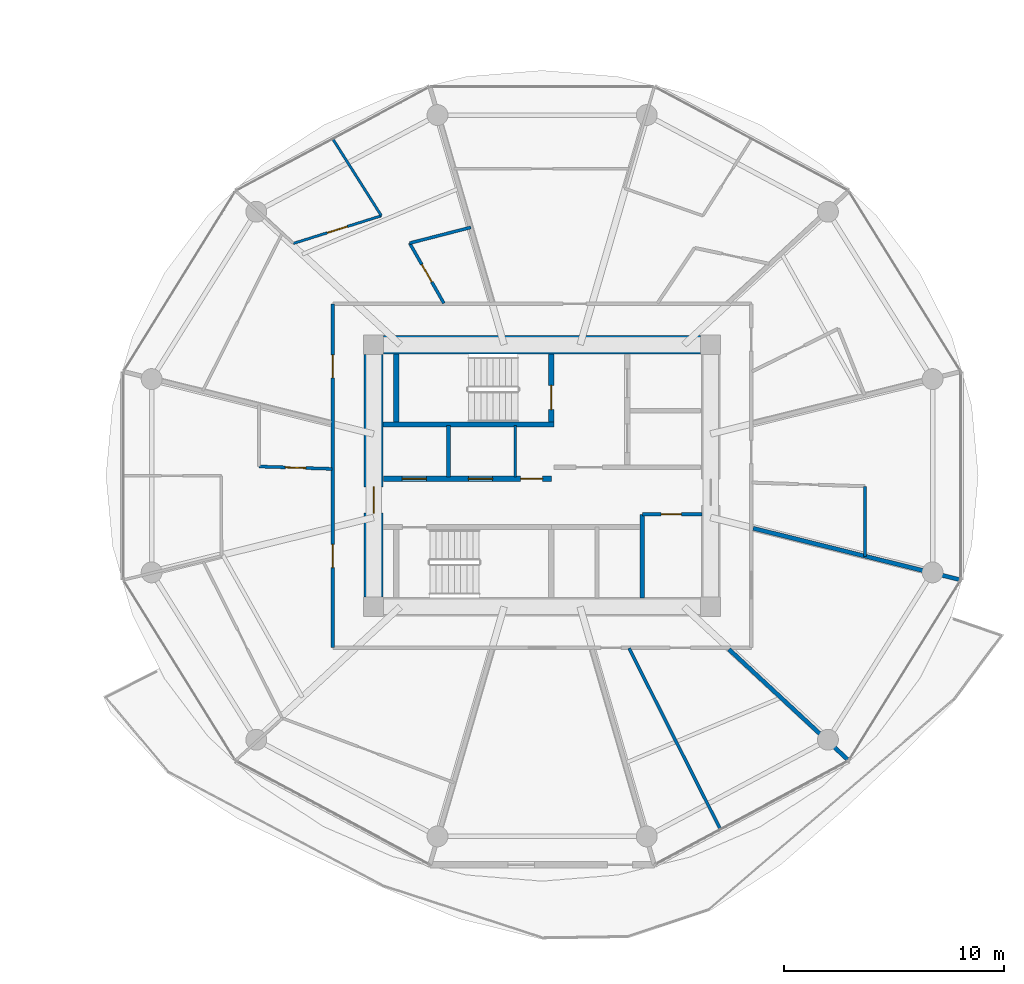
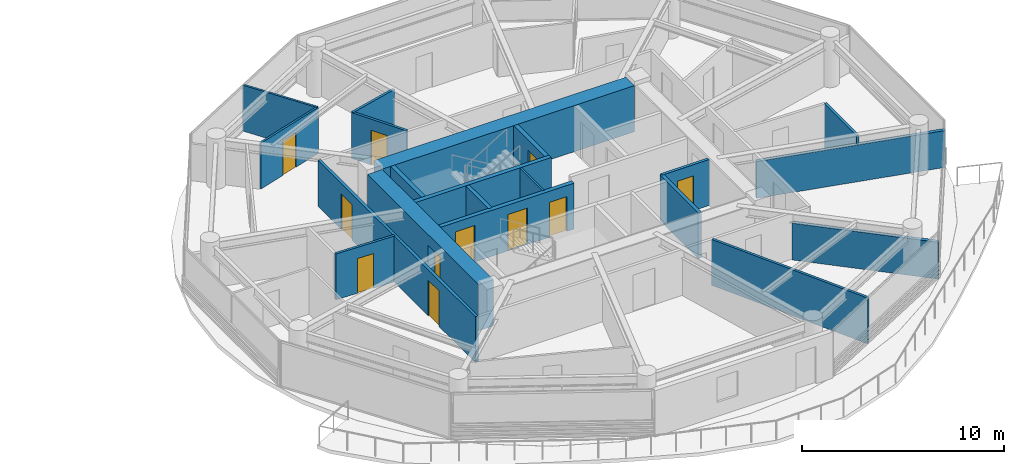
# One storey, part 18 of 25: 20 walls, 11 doors, 11 openings.
"""IFC4 building model written with IfcOpenShell, lengths in metres."""

from ifc_helpers import new_model, si_unit, direction, frame, frame_2d, origin, place, context, subcontext, project, spatial, rectangle, extrude, source, transform, mapped, material, layer, layer_set, type_object, type_shapes, element, fill, save


model = new_model("IFC4")

# Units and contexts
model_context = context("Model", 3, precision=1e-05, world=origin(), true_north=direction((0.0, 1.0)))
body_context = subcontext(model_context, "Body", "Model", "MODEL_VIEW")
ifc_project = project(units=[si_unit("LENGTHUNIT", "METRE"), si_unit("AREAUNIT", "SQUARE_METRE"), si_unit("VOLUMEUNIT", "CUBIC_METRE"), si_unit("PLANEANGLEUNIT", "RADIAN"), si_unit("MASSUNIT", "GRAM", prefix="KILO")], contexts=[model_context])

# Site, building, storey
site_placement = place(None, origin())
site = spatial("IfcSite", under=ifc_project, at=site_placement, CompositionType="ELEMENT")
building_placement = place(site_placement, origin())
building = spatial("IfcBuilding", under=site, at=building_placement, Name="Norrkilde Senior Care Towers", CompositionType="ELEMENT")
storey_placement = place(building_placement, frame((0.0, 0.0, 27.699951171875)))
storey = spatial("IfcBuildingStorey", under=building, at=storey_placement, Name="L07", CompositionType="ELEMENT", Elevation=27.699951171875)

# Wall
ifc_material_1 = material(Name="Concrete C60/75", Category="concrete")
ifc_layer_1 = layer(ifc_material_1, 0.85009765625)
ifc_layer_set_1 = layer_set([ifc_layer_1], Name="Concrete C60/75")
wall_type_1 = type_object("IfcWallType", Name="Core Shear Wall Z1 850", PredefinedType="SHEAR", material=ifc_layer_set_1)
shared_shape_1 = source(origin(), body_context, "Body", "SweptSolid", [
    extrude(rectangle(XDim=14.39990234375, YDim=0.85009765625, at=frame_2d((7.199951171875, 0.0))), origin(), (0.0, 0.0, 1.0), 2.7900390625),
])
wall_1_placement = place(storey_placement, frame((20.800048828125, 5.949951171875, 0.0), z_axis=(0.0, 0.0, 1.0), x_axis=(1.0, 0.0, 0.0)))
element("IfcWall", 1, at=wall_1_placement, inside=storey, type_object=wall_type_1, Name="L07 Core E North Shear Wall", PredefinedType="SHEAR", context=body_context, shape_type="MappedRepresentation", body=[
    mapped(shared_shape_1, transform((0.0, 0.0, 0.0), x_axis=(1.0, 0.0, 0.0), y_axis=(0.0, 1.0, 0.0), z_axis=(0.0, 0.0, 1.0), scale=1.0)),
])

# Wall, opening, door
shared_shape_2 = source(origin(), body_context, "Body", "SweptSolid", [
    extrude(rectangle(XDim=11.0, YDim=0.85009765625, at=frame_2d((5.5, 0.0))), origin(), (0.0, 0.0, 1.0), 2.7900390625),
])
type_shapes(wall_type_1, [shared_shape_1, shared_shape_2])
wall_2_placement = place(storey_placement, frame((20.35009765625, -5.5, 0.0), z_axis=(0.0, 0.0, 1.0), x_axis=(0.0, 1.0, 0.0)))
wall_2 = element("IfcWall", 2, at=wall_2_placement, inside=storey, type_object=wall_type_1, Name="L07 Core E West Shear Wall", PredefinedType="SHEAR", context=body_context, shape_type="MappedRepresentation", body=[
    mapped(shared_shape_2, transform((0.0, 0.0, 0.0), x_axis=(1.0, 0.0, 0.0), y_axis=(0.0, 1.0, 0.0), z_axis=(0.0, 0.0, 1.0), scale=1.0)),
])
opening_1_placement = place(wall_2_placement, frame((3.800048828125, 0.0, 0.0)))
opening_1 = element("IfcOpeningElement", 3, at=opening_1_placement, cuts=wall_2, Name="Opening D-04", PredefinedType="OPENING", context=body_context, shape_type="SweptSolid", body=[
    extrude(rectangle(XDim=1.199951171875, YDim=2.14990234375, at=frame_2d((0.60009765625, 1.074951171875))), frame((0.0, 0.43505859375, 0.0), z_axis=(0.0, -1.0, 0.0), x_axis=(1.0, 0.0, 0.0)), (0.0, 0.0, 1.0), 0.8701171875),
])
ifc_material_2 = material(Name="Galvanised Painted Steel", Category="steel")
door_type_1 = type_object("IfcDoorType", Name="Firefighting Lobby Fire Door 1200x2150", OperationType="NOTDEFINED", PredefinedType="DOOR", material=ifc_material_2)
shared_shape_3 = source(origin(), body_context, "Body", "SweptSolid", [
    extrude(rectangle(XDim=1.199951171875, YDim=2.14990234375, at=frame_2d((0.60009765625, 1.074951171875))), frame((0.0, 0.02490234375, 0.0), z_axis=(0.0, -1.0, 0.0), x_axis=(1.0, 0.0, 0.0)), (0.0, 0.0, 1.0), 0.050048828125),
])
type_shapes(door_type_1, [shared_shape_3])
door_1_placement = place(opening_1_placement, frame((1.199951171875, 0.0, 0.0), z_axis=(0.0, 0.0, 1.0), x_axis=(-1.0, 0.0, 0.0)))
door_1 = element("IfcDoor", 4, at=door_1_placement, inside=storey, type_object=door_type_1, Name="L07 Core E West Portal Door", OperationType="SINGLE_SWING_LEFT", OverallHeight=2.14990234375, OverallWidth=1.199951171875, PredefinedType="DOOR", context=body_context, shape_type="MappedRepresentation", body=[
    mapped(shared_shape_3, transform((0.0, 0.0, 0.0), x_axis=(1.0, 0.0, 0.0), y_axis=(0.0, 1.0, 0.0), z_axis=(0.0, 0.0, 1.0), scale=1.0)),
])
fill(opening_1, door_1)

# Walls
ifc_material_3 = material(Name="Concrete C45/55", Category="concrete")
ifc_layer_2 = layer(ifc_material_3, 0.239990234375)
ifc_layer_set_2 = layer_set([ifc_layer_2], Name="Concrete C45/55")
wall_type_2 = type_object("IfcWallType", Name="Shaft and Stair Enclosure Wall 240", PredefinedType="PARTITIONING", material=ifc_layer_set_2)
shared_shape_4 = source(origin(), body_context, "Body", "SweptSolid", [
    extrude(rectangle(XDim=7.76513671875, YDim=0.239990234375, at=frame_2d((3.882568359375, 0.0))), origin(), (0.0, 0.0, 1.0), 2.7900390625),
])
wall_3_placement = place(storey_placement, frame((20.77490234375, 2.330078125, 0.0), z_axis=(0.0, 0.0, 1.0), x_axis=(1.0, 0.0, 0.0)))
element("IfcWall", 5, at=wall_3_placement, inside=storey, type_object=wall_type_2, Name="WL-INT-L07-E-ST1S", PredefinedType="PARTITIONING", context=body_context, shape_type="MappedRepresentation", body=[
    mapped(shared_shape_4, transform((0.0, 0.0, 0.0), x_axis=(1.0, 0.0, 0.0), y_axis=(0.0, 1.0, 0.0), z_axis=(0.0, 0.0, 1.0), scale=1.0)),
])
shared_shape_5 = source(origin(), body_context, "Body", "SweptSolid", [
    extrude(rectangle(XDim=3.074951171875, YDim=0.239990234375, at=frame_2d((1.53759765625, 0.0))), origin(), (0.0, 0.0, 1.0), 2.7900390625),
])
type_shapes(wall_type_2, [shared_shape_4, shared_shape_5])
wall_4_placement = place(storey_placement, frame((21.3798828125, 2.449951171875, 0.0), z_axis=(0.0, 0.0, 1.0), x_axis=(0.0, 1.0, 0.0)))
element("IfcWall", 6, at=wall_4_placement, inside=storey, type_object=wall_type_2, Name="WL-INT-L07-E-ST1W", PredefinedType="PARTITIONING", context=body_context, shape_type="MappedRepresentation", body=[
    mapped(shared_shape_5, transform((0.0, 0.0, 0.0), x_axis=(1.0, 0.0, 0.0), y_axis=(0.0, 1.0, 0.0), z_axis=(0.0, 0.0, 1.0), scale=1.0)),
])

# Wall, opening, door
wall_5_placement = place(storey_placement, frame((28.419921875, 2.449951171875, 0.0), z_axis=(0.0, 0.0, 1.0), x_axis=(0.0, 1.0, 0.0)))
wall_5 = element("IfcWall", 7, at=wall_5_placement, inside=storey, type_object=wall_type_2, Name="WL-INT-L07-E-ST1E", PredefinedType="PARTITIONING", context=body_context, shape_type="MappedRepresentation", body=[
    mapped(shared_shape_5, transform((0.0, 0.0, 0.0), x_axis=(1.0, 0.0, 0.0), y_axis=(0.0, 1.0, 0.0), z_axis=(0.0, 0.0, 1.0), scale=1.0)),
])
opening_2_placement = place(wall_5_placement, frame((0.550048828125, 0.0, 0.0)))
opening_2 = element("IfcOpeningElement", 8, at=opening_2_placement, cuts=wall_5, Name="Opening D-03", PredefinedType="OPENING", context=body_context, shape_type="SweptSolid", body=[
    extrude(rectangle(XDim=1.10009765625, YDim=2.14990234375, at=frame_2d((0.550048828125, 1.074951171875))), frame((0.0, 0.1298828125, 0.0), z_axis=(0.0, -1.0, 0.0), x_axis=(1.0, 0.0, 0.0)), (0.0, 0.0, 1.0), 0.260009765625),
])
door_type_2 = type_object("IfcDoorType", Name="Stairwell Protected Fire Door 1100x2150", OperationType="NOTDEFINED", PredefinedType="DOOR", material=ifc_material_2)
shared_shape_6 = source(origin(), body_context, "Body", "SweptSolid", [
    extrude(rectangle(XDim=1.10009765625, YDim=2.14990234375, at=frame_2d((0.550048828125, 1.074951171875))), frame((0.0, 0.02490234375, 0.0), z_axis=(0.0, -1.0, 0.0), x_axis=(1.0, 0.0, 0.0)), (0.0, 0.0, 1.0), 0.050048828125),
])
type_shapes(door_type_2, [shared_shape_6])
door_2_placement = place(opening_2_placement, origin())
door_2 = element("IfcDoor", 9, at=door_2_placement, inside=storey, type_object=door_type_2, Name="L07 Stair E1 Fire Door", OperationType="SINGLE_SWING_LEFT", OverallHeight=2.14990234375, OverallWidth=1.10009765625, PredefinedType="DOOR", context=body_context, shape_type="MappedRepresentation", body=[
    mapped(shared_shape_6, transform((0.0, 0.0, 0.0), x_axis=(1.0, 0.0, 0.0), y_axis=(0.0, 1.0, 0.0), z_axis=(0.0, 0.0, 1.0), scale=1.0)),
])
fill(opening_2, door_2)

# Wall, openings, doors
ifc_layer_3 = layer(ifc_material_3, 0.239990234375)
ifc_layer_set_3 = layer_set([ifc_layer_3], Name="Concrete C45/55")
wall_type_3 = type_object("IfcWallType", Name="Lift and Plant Rated Enclosure Partition 240", PredefinedType="PARTITIONING", material=ifc_layer_set_3)
shared_shape_7 = source(origin(), body_context, "Body", "SweptSolid", [
    extrude(rectangle(XDim=7.619873046875, YDim=0.239990234375, at=frame_2d((3.81005859375, 0.0))), origin(), (0.0, 0.0, 1.0), 2.775146484375),
])
type_shapes(wall_type_3, [shared_shape_7])
wall_6_placement = place(storey_placement, frame((20.800048828125, -0.1298828125, 0.0), z_axis=(0.0, 0.0, 1.0), x_axis=(1.0, 0.0, 0.0)))
wall_6 = element("IfcWall", 10, at=wall_6_placement, inside=storey, type_object=wall_type_3, Name="WL-INT-L07-E-PKAS", PredefinedType="PARTITIONING", context=body_context, shape_type="MappedRepresentation", body=[
    mapped(shared_shape_7, transform((0.0, 0.0, 0.0), x_axis=(1.0, 0.0, 0.0), y_axis=(0.0, 1.0, 0.0), z_axis=(0.0, 0.0, 1.0), scale=1.0)),
])
opening_3_placement = place(wall_6_placement, frame((6.219970703125, 0.0, 0.0)))
opening_3 = element("IfcOpeningElement", 11, at=opening_3_placement, cuts=wall_6, Name="Opening D-10", PredefinedType="OPENING", context=body_context, shape_type="SweptSolid", body=[
    extrude(rectangle(XDim=1.0, YDim=2.10009765625, at=frame_2d((0.5, 1.050048828125))), frame((0.0, 0.1298828125, 0.0), z_axis=(0.0, -1.0, 0.0), x_axis=(1.0, 0.0, 0.0)), (0.0, 0.0, 1.0), 0.260009765625),
])
opening_4_placement = place(wall_6_placement, frame((0.85009765625, 0.0, 0.0)))
opening_4 = element("IfcOpeningElement", 12, at=opening_4_placement, cuts=wall_6, Name="Opening LD-01", PredefinedType="OPENING", context=body_context, shape_type="SweptSolid", body=[
    extrude(rectangle(XDim=1.10009765625, YDim=2.199951171875, at=frame_2d((0.550048828125, 1.10009765625))), frame((0.0, 0.1298828125, 0.0), z_axis=(0.0, -1.0, 0.0), x_axis=(1.0, 0.0, 0.0)), (0.0, 0.0, 1.0), 0.260009765625),
])
opening_5_placement = place(wall_6_placement, frame((3.85009765625, 0.0, 0.0)))
opening_5 = element("IfcOpeningElement", 13, at=opening_5_placement, cuts=wall_6, Name="Opening LD-01", PredefinedType="OPENING", context=body_context, shape_type="SweptSolid", body=[
    extrude(rectangle(XDim=1.10009765625, YDim=2.199951171875, at=frame_2d((0.550048828125, 1.10009765625))), frame((0.0, 0.1298828125, 0.0), z_axis=(0.0, -1.0, 0.0), x_axis=(1.0, 0.0, 0.0)), (0.0, 0.0, 1.0), 0.260009765625),
])
door_type_3 = type_object("IfcDoorType", Name="Plant and Riser Rated Door 1000x2100", OperationType="NOTDEFINED", PredefinedType="DOOR", material=ifc_material_2)
shared_shape_8 = source(origin(), body_context, "Body", "SweptSolid", [
    extrude(rectangle(XDim=1.0, YDim=2.10009765625, at=frame_2d((0.5, 1.050048828125))), frame((0.0, 0.02490234375, 0.0), z_axis=(0.0, -1.0, 0.0), x_axis=(1.0, 0.0, 0.0)), (0.0, 0.0, 1.0), 0.050048828125),
])
type_shapes(door_type_3, [shared_shape_8])
door_3_placement = place(opening_3_placement, frame((1.0, 0.0, 0.0), z_axis=(0.0, 0.0, 1.0), x_axis=(-1.0, 0.0, 0.0)))
door_3 = element("IfcDoor", 14, at=door_3_placement, inside=storey, type_object=door_type_3, Name="L07 Electrical Riser E Door", OperationType="SINGLE_SWING_LEFT", OverallHeight=2.10009765625, OverallWidth=1.0, PredefinedType="DOOR", context=body_context, shape_type="MappedRepresentation", body=[
    mapped(shared_shape_8, transform((0.0, 0.0, 0.0), x_axis=(1.0, 0.0, 0.0), y_axis=(0.0, 1.0, 0.0), z_axis=(0.0, 0.0, 1.0), scale=1.0)),
])
fill(opening_3, door_3)
ifc_material_4 = material(Name="Stainless Steel", Category="steel")
door_type_4 = type_object("IfcDoorType", Name="Lift Landing Sliding Door 1100x2200", OperationType="NOTDEFINED", PredefinedType="DOOR", material=ifc_material_4)
shared_shape_9 = source(origin(), body_context, "Body", "SweptSolid", [
    extrude(rectangle(XDim=1.10009765625, YDim=2.199951171875, at=frame_2d((0.550048828125, 1.10009765625))), frame((0.0, 0.02490234375, 0.0), z_axis=(0.0, -1.0, 0.0), x_axis=(1.0, 0.0, 0.0)), (0.0, 0.0, 1.0), 0.050048828125),
])
type_shapes(door_type_4, [shared_shape_9])
door_4_placement = place(opening_4_placement, origin())
door_4 = element("IfcDoor", 15, at=door_4_placement, inside=storey, type_object=door_type_4, Name="L07 Passenger Lift E1 Landing Door", OperationType="SLIDING_TO_LEFT", OverallHeight=2.199951171875, OverallWidth=1.10009765625, PredefinedType="DOOR", context=body_context, shape_type="MappedRepresentation", body=[
    mapped(shared_shape_9, transform((0.0, 0.0, 0.0), x_axis=(1.0, 0.0, 0.0), y_axis=(0.0, 1.0, 0.0), z_axis=(0.0, 0.0, 1.0), scale=1.0)),
])
fill(opening_4, door_4)
door_5_placement = place(opening_5_placement, origin())
door_5 = element("IfcDoor", 16, at=door_5_placement, inside=storey, type_object=door_type_4, Name="L07 Passenger Lift E2 Landing Door", OperationType="SLIDING_TO_RIGHT", OverallHeight=2.199951171875, OverallWidth=1.10009765625, PredefinedType="DOOR", context=body_context, shape_type="MappedRepresentation", body=[
    mapped(shared_shape_9, transform((0.0, 0.0, 0.0), x_axis=(1.0, 0.0, 0.0), y_axis=(0.0, 1.0, 0.0), z_axis=(0.0, 0.0, 1.0), scale=1.0)),
])
fill(opening_5, door_5)

# Walls
ifc_material_5 = material(Name="Gypsum Acoustic Board")
ifc_layer_4 = layer(ifc_material_5, 0.114990234375)
ifc_layer_set_4 = layer_set([ifc_layer_4], Name="Gypsum Acoustic Board")
wall_type_4 = type_object("IfcWallType", Name="Internal Room Partition 115", PredefinedType="PARTITIONING", material=ifc_layer_set_4)
shared_shape_10 = source(origin(), body_context, "Body", "SweptSolid", [
    extrude(rectangle(XDim=2.330078125, YDim=0.114990234375, at=frame_2d((1.1650390625, 0.0))), origin(), (0.0, 0.0, 1.0), 2.775146484375),
])
wall_7_placement = place(storey_placement, frame((26.7900390625, -0.050048828125, 0.0), z_axis=(0.0, 0.0, 1.0), x_axis=(0.0, 1.0, 0.0)))
element("IfcWall", 17, at=wall_7_placement, inside=storey, type_object=wall_type_4, Name="WL-INT-L07-E-RISW", PredefinedType="PARTITIONING", context=body_context, shape_type="MappedRepresentation", body=[
    mapped(shared_shape_10, transform((0.0, 0.0, 0.0), x_axis=(1.0, 0.0, 0.0), y_axis=(0.0, 1.0, 0.0), z_axis=(0.0, 0.0, 1.0), scale=1.0)),
])
ifc_layer_5 = layer(ifc_material_3, 0.199951171875)
ifc_layer_set_5 = layer_set([ifc_layer_5], Name="Concrete C45/55")
wall_type_5 = type_object("IfcWallType", Name="Shaft Division and Plant Partition 200", PredefinedType="PARTITIONING", material=ifc_layer_set_5)
shared_shape_11 = source(origin(), body_context, "Body", "SweptSolid", [
    extrude(rectangle(XDim=2.330078125, YDim=0.199951171875, at=frame_2d((1.1650390625, 0.0))), origin(), (0.0, 0.0, 1.0), 2.775146484375),
])
wall_8_placement = place(storey_placement, frame((23.75, -0.050048828125, 0.0), z_axis=(0.0, 0.0, 1.0), x_axis=(0.0, 1.0, 0.0)))
element("IfcWall", 18, at=wall_8_placement, inside=storey, type_object=wall_type_5, Name="WL-INT-L07-E-PL12", PredefinedType="PARTITIONING", context=body_context, shape_type="MappedRepresentation", body=[
    mapped(shared_shape_11, transform((0.0, 0.0, 0.0), x_axis=(1.0, 0.0, 0.0), y_axis=(0.0, 1.0, 0.0), z_axis=(0.0, 0.0, 1.0), scale=1.0)),
])
shared_shape_12 = source(origin(), body_context, "Body", "SweptSolid", [
    extrude(rectangle(XDim=3.800048828125, YDim=0.199951171875, at=frame_2d((1.89990234375, 0.0))), origin(), (0.0, 0.0, 1.0), 2.775146484375),
])
type_shapes(wall_type_5, [shared_shape_11, shared_shape_12])
wall_9_placement = place(storey_placement, frame((32.550048828125, -5.550048828125, 0.0), z_axis=(0.0, 0.0, 1.0), x_axis=(0.0, 1.0, 0.0)))
element("IfcWall", 19, at=wall_9_placement, inside=storey, type_object=wall_type_5, Name="WL-INT-L07-E-PKBE", PredefinedType="PARTITIONING", context=body_context, shape_type="MappedRepresentation", body=[
    mapped(shared_shape_12, transform((0.0, 0.0, 0.0), x_axis=(1.0, 0.0, 0.0), y_axis=(0.0, 1.0, 0.0), z_axis=(0.0, 0.0, 1.0), scale=1.0)),
])

# Wall, opening, door
ifc_layer_6 = layer(ifc_material_5, 0.1650390625)
ifc_layer_set_6 = layer_set([ifc_layer_6], Name="Gypsum Acoustic Board")
wall_type_6 = type_object("IfcWallType", Name="Corridor Rated Partition 165", PredefinedType="PARTITIONING", material=ifc_layer_set_6)
shared_shape_13 = source(origin(), body_context, "Body", "SweptSolid", [
    extrude(rectangle(XDim=2.699951171875, YDim=0.1650390625, at=frame_2d((1.35009765625, 0.0))), origin(), (0.0, 0.0, 1.0), 2.775146484375),
])
wall_10_placement = place(storey_placement, frame((32.550048828125, -1.75, 0.0), z_axis=(0.0, 0.0, 1.0), x_axis=(1.0, 0.0, 0.0)))
wall_10 = element("IfcWall", 20, at=wall_10_placement, inside=storey, type_object=wall_type_6, Name="WL-INT-L07-E-CSN", PredefinedType="PARTITIONING", context=body_context, shape_type="MappedRepresentation", body=[
    mapped(shared_shape_13, transform((0.0, 0.0, 0.0), x_axis=(1.0, 0.0, 0.0), y_axis=(0.0, 1.0, 0.0), z_axis=(0.0, 0.0, 1.0), scale=1.0)),
])
opening_6_placement = place(wall_10_placement, frame((0.85009765625, 0.0, 0.0)))
opening_6 = element("IfcOpeningElement", 21, at=opening_6_placement, cuts=wall_10, Name="Opening D-12", PredefinedType="OPENING", context=body_context, shape_type="SweptSolid", body=[
    extrude(rectangle(XDim=0.925048828125, YDim=2.10009765625, at=frame_2d((0.46240234375, 1.050048828125))), frame((0.0, 0.092529296875, 0.0), z_axis=(0.0, -1.0, 0.0), x_axis=(1.0, 0.0, 0.0)), (0.0, 0.0, 1.0), 0.18505859375),
])
door_type_5 = type_object("IfcDoorType", Name="Core Wet Room Rated Door 925x2100", OperationType="NOTDEFINED", PredefinedType="DOOR", material=ifc_material_2)
shared_shape_14 = source(origin(), body_context, "Body", "SweptSolid", [
    extrude(rectangle(XDim=0.925048828125, YDim=2.10009765625, at=frame_2d((0.46240234375, 1.050048828125))), frame((0.0, 0.02490234375, 0.0), z_axis=(0.0, -1.0, 0.0), x_axis=(1.0, 0.0, 0.0)), (0.0, 0.0, 1.0), 0.050048828125),
])
type_shapes(door_type_5, [shared_shape_14])
door_6_placement = place(opening_6_placement, origin())
door_6 = element("IfcDoor", 22, at=door_6_placement, inside=storey, type_object=door_type_5, Name="L07 Core Utility E Door", OperationType="SINGLE_SWING_LEFT", OverallHeight=2.10009765625, OverallWidth=0.925048828125, PredefinedType="DOOR", context=body_context, shape_type="MappedRepresentation", body=[
    mapped(shared_shape_14, transform((0.0, 0.0, 0.0), x_axis=(1.0, 0.0, 0.0), y_axis=(0.0, 1.0, 0.0), z_axis=(0.0, 0.0, 1.0), scale=1.0)),
])
fill(opening_6, door_6)

# Wall, openings, doors
shared_shape_15 = source(origin(), body_context, "Body", "SweptSolid", [
    extrude(rectangle(XDim=15.60009765625, YDim=0.1650390625, at=frame_2d((7.800048828125, 0.0))), origin(), (0.0, 0.0, 1.0), 2.775146484375),
])
type_shapes(wall_type_6, [shared_shape_13, shared_shape_15])
wall_11_placement = place(storey_placement, frame((18.5, -7.800048828125, 0.0), z_axis=(0.0, 0.0, 1.0), x_axis=(0.0, 1.0, 0.0)))
wall_11 = element("IfcWall", 23, at=wall_11_placement, inside=storey, type_object=wall_type_6, Name="WL-INT-L07-E-CRW-W-0", PredefinedType="PARTITIONING", context=body_context, shape_type="MappedRepresentation", body=[
    mapped(shared_shape_15, transform((0.0, 0.0, 0.0), x_axis=(1.0, 0.0, 0.0), y_axis=(0.0, 1.0, 0.0), z_axis=(0.0, 0.0, 1.0), scale=1.0)),
])
opening_7_placement = place(wall_11_placement, frame((12.241455078125, 0.0, 0.0)))
opening_7 = element("IfcOpeningElement", 24, at=opening_7_placement, cuts=wall_11, Name="Opening D-06", PredefinedType="OPENING", context=body_context, shape_type="SweptSolid", body=[
    extrude(rectangle(XDim=1.050048828125, YDim=2.14990234375, at=frame_2d((0.52490234375, 1.074951171875))), frame((0.0, 0.092529296875, 0.0), z_axis=(0.0, -1.0, 0.0), x_axis=(1.0, 0.0, 0.0)), (0.0, 0.0, 1.0), 0.18505859375),
])
opening_8_placement = place(wall_11_placement, frame((3.63037109375, 0.0, 0.0)))
opening_8 = element("IfcOpeningElement", 25, at=opening_8_placement, cuts=wall_11, Name="Opening D-06", PredefinedType="OPENING", context=body_context, shape_type="SweptSolid", body=[
    extrude(rectangle(XDim=1.050048828125, YDim=2.14990234375, at=frame_2d((0.52490234375, 1.074951171875))), frame((0.0, 0.092529296875, 0.0), z_axis=(0.0, -1.0, 0.0), x_axis=(1.0, 0.0, 0.0)), (0.0, 0.0, 1.0), 0.18505859375),
])
ifc_material_6 = material(Name="Nordic Ash Timber", Category="wood")
door_type_6 = type_object("IfcDoorType", Name="Apartment Entrance Fire Door 1050x2150", OperationType="NOTDEFINED", PredefinedType="DOOR", material=ifc_material_6)
shared_shape_16 = source(origin(), body_context, "Body", "SweptSolid", [
    extrude(rectangle(XDim=1.050048828125, YDim=2.14990234375, at=frame_2d((0.52490234375, 1.074951171875))), frame((0.0, 0.02490234375, 0.0), z_axis=(0.0, -1.0, 0.0), x_axis=(1.0, 0.0, 0.0)), (0.0, 0.0, 1.0), 0.050048828125),
])
type_shapes(door_type_6, [shared_shape_16])
door_7_placement = place(opening_7_placement, frame((1.050048828125, 0.0, 0.0), z_axis=(0.0, 0.0, 1.0), x_axis=(-1.0, 0.0, 0.0)))
door_7 = element("IfcDoor", 26, at=door_7_placement, inside=storey, type_object=door_type_6, Name="Apartment 07B Entrance Door", OperationType="SINGLE_SWING_RIGHT", OverallHeight=2.14990234375, OverallWidth=1.050048828125, PredefinedType="DOOR", context=body_context, shape_type="MappedRepresentation", body=[
    mapped(shared_shape_16, transform((0.0, 0.0, 0.0), x_axis=(1.0, 0.0, 0.0), y_axis=(0.0, 1.0, 0.0), z_axis=(0.0, 0.0, 1.0), scale=1.0)),
])
fill(opening_7, door_7)
door_8_placement = place(opening_8_placement, frame((1.050048828125, 0.0, 0.0), z_axis=(0.0, 0.0, 1.0), x_axis=(-1.0, 0.0, 0.0)))
door_8 = element("IfcDoor", 27, at=door_8_placement, inside=storey, type_object=door_type_6, Name="Apartment 07C Entrance Door", OperationType="SINGLE_SWING_RIGHT", OverallHeight=2.14990234375, OverallWidth=1.050048828125, PredefinedType="DOOR", context=body_context, shape_type="MappedRepresentation", body=[
    mapped(shared_shape_16, transform((0.0, 0.0, 0.0), x_axis=(1.0, 0.0, 0.0), y_axis=(0.0, 1.0, 0.0), z_axis=(0.0, 0.0, 1.0), scale=1.0)),
])
fill(opening_8, door_8)

# Walls
ifc_layer_7 = layer(ifc_material_5, 0.18994140625)
ifc_layer_set_7 = layer_set([ifc_layer_7], Name="Gypsum Acoustic Board")
wall_type_7 = type_object("IfcWallType", Name="Unit Demising Acoustic Wall 190", PredefinedType="PARTITIONING", material=ifc_layer_set_7)
shared_shape_17 = source(origin(), body_context, "Body", "SweptSolid", [
    extrude(rectangle(XDim=7.4345703125, YDim=0.18994140625, at=frame_2d((3.71728515625, 0.0))), origin(), (0.0, 0.0, 1.0), 2.22509765625),
])
wall_12_placement = place(storey_placement, frame((36.48291015625, -7.8798828125, 0.0), z_axis=(0.0, 0.0, 1.0), x_axis=(0.732651956848, -0.680603489652, 0.0)))
element("IfcWall", 28, at=wall_12_placement, inside=storey, type_object=wall_type_7, Name="WL-INT-L07-E-DEM-10-0", PredefinedType="PARTITIONING", context=body_context, shape_type="MappedRepresentation", body=[
    mapped(shared_shape_17, transform((0.0, 0.0, 0.0), x_axis=(1.0, 0.0, 0.0), y_axis=(0.0, 1.0, 0.0), z_axis=(0.0, 0.0, 1.0), scale=1.0)),
])
ifc_layer_8 = layer(ifc_material_5, 0.139892578125)
ifc_layer_set_8 = layer_set([ifc_layer_8], Name="Gypsum Acoustic Board")
wall_type_8 = type_object("IfcWallType", Name="En-suite Wet Room Wall 140", PredefinedType="PARTITIONING", material=ifc_layer_set_8)
shared_shape_18 = source(origin(), body_context, "Body", "SweptSolid", [
    extrude(rectangle(XDim=9.22509765625, YDim=0.139892578125, at=frame_2d((4.612548828125, 0.0))), origin(), (0.0, 0.0, 1.0), 2.775146484375),
])
wall_13_placement = place(storey_placement, frame((31.94580078125, -7.830078125, 0.0), z_axis=(0.0, 0.0, 1.0), x_axis=(0.450460543767, -0.892796336523, 0.0)))
element("IfcWall", 29, at=wall_13_placement, inside=storey, type_object=wall_type_8, Name="WL-INT-L07-E-MID-09", PredefinedType="PARTITIONING", context=body_context, shape_type="MappedRepresentation", body=[
    mapped(shared_shape_18, transform((0.0, 0.0, 0.0), x_axis=(1.0, 0.0, 0.0), y_axis=(0.0, 1.0, 0.0), z_axis=(0.0, 0.0, 1.0), scale=1.0)),
])
shared_shape_19 = source(origin(), body_context, "Body", "SweptSolid", [
    extrude(rectangle(XDim=9.737060546875, YDim=0.18994140625, at=frame_2d((4.86865234375, 0.0))), origin(), (0.0, 0.0, 1.0), 2.22509765625),
])
type_shapes(wall_type_7, [shared_shape_17, shared_shape_19])
wall_14_placement = place(storey_placement, frame((37.580078125, -2.384521484375, 0.0), z_axis=(0.0, 0.0, 1.0), x_axis=(0.970392716238, -0.241532557375, 0.0)))
element("IfcWall", 30, at=wall_14_placement, inside=storey, type_object=wall_type_7, Name="WL-INT-L07-E-DEM-11-0", PredefinedType="PARTITIONING", context=body_context, shape_type="MappedRepresentation", body=[
    mapped(shared_shape_19, transform((0.0, 0.0, 0.0), x_axis=(1.0, 0.0, 0.0), y_axis=(0.0, 1.0, 0.0), z_axis=(0.0, 0.0, 1.0), scale=1.0)),
])
shared_shape_20 = source(origin(), body_context, "Body", "SweptSolid", [
    extrude(rectangle(XDim=4.150390625, YDim=0.114990234375, at=frame_2d((2.0751953125, 0.0))), origin(), (0.0, 0.0, 1.0), 2.775146484375),
])
wall_15_placement = place(storey_placement, frame((20.703857421875, 11.800537109375, 0.0), z_axis=(0.0, 0.0, 1.0), x_axis=(-0.534475378192, 0.845184045109, 0.0)))
element("IfcWall", 31, at=wall_15_placement, inside=storey, type_object=wall_type_4, Name="WL-INT-L07-E-UKTS-03", PredefinedType="PARTITIONING", context=body_context, shape_type="MappedRepresentation", body=[
    mapped(shared_shape_20, transform((0.0, 0.0, 0.0), x_axis=(1.0, 0.0, 0.0), y_axis=(0.0, 1.0, 0.0), z_axis=(0.0, 0.0, 1.0), scale=1.0)),
])

# Wall, opening, door
shared_shape_21 = source(origin(), body_context, "Body", "SweptSolid", [
    extrude(rectangle(XDim=3.14111328125, YDim=0.139892578125, at=frame_2d((1.570556640625, 0.0))), origin(), (0.0, 0.0, 1.0), 2.775146484375),
])
wall_16_placement = place(storey_placement, frame((23.54150390625, 7.830078125, 0.0), z_axis=(0.0, 0.0, 1.0), x_axis=(-0.494874486088, 0.868964465913, 0.0)))
wall_16 = element("IfcWall", 32, at=wall_16_placement, inside=storey, type_object=wall_type_8, Name="WL-INT-L07-E-UBTS-03", PredefinedType="PARTITIONING", context=body_context, shape_type="MappedRepresentation", body=[
    mapped(shared_shape_21, transform((0.0, 0.0, 0.0), x_axis=(1.0, 0.0, 0.0), y_axis=(0.0, 1.0, 0.0), z_axis=(0.0, 0.0, 1.0), scale=1.0)),
])
opening_9_placement = place(wall_16_placement, frame((1.110595703125, 0.0, 0.0)))
opening_9 = element("IfcOpeningElement", 33, at=opening_9_placement, cuts=wall_16, Name="Opening D-08", PredefinedType="OPENING", context=body_context, shape_type="SweptSolid", body=[
    extrude(rectangle(XDim=0.919921875, YDim=2.10009765625, at=frame_2d((0.4599609375, 1.050048828125))), frame((0.0, 0.079833984375, 0.0), z_axis=(0.0, -1.0, 0.0), x_axis=(1.0, 0.0, 0.0)), (0.0, 0.0, 1.0), 0.159912109375),
])
door_type_7 = type_object("IfcDoorType", Name="Accessible Wet Room Door 920x2100", OperationType="NOTDEFINED", PredefinedType="DOOR", material=ifc_material_6)
shared_shape_22 = source(origin(), body_context, "Body", "SweptSolid", [
    extrude(rectangle(XDim=0.919921875, YDim=2.10009765625, at=frame_2d((0.4599609375, 1.050048828125))), frame((0.0, 0.02490234375, 0.0), z_axis=(0.0, -1.0, 0.0), x_axis=(1.0, 0.0, 0.0)), (0.0, 0.0, 1.0), 0.050048828125),
])
type_shapes(door_type_7, [shared_shape_22])
door_9_placement = place(opening_9_placement, origin())
door_9 = element("IfcDoor", 34, at=door_9_placement, inside=storey, type_object=door_type_7, Name="Apartment 07B Bathroom Door", OperationType="SINGLE_SWING_LEFT", OverallHeight=2.10009765625, OverallWidth=0.919921875, PredefinedType="DOOR", context=body_context, shape_type="MappedRepresentation", body=[
    mapped(shared_shape_22, transform((0.0, 0.0, 0.0), x_axis=(1.0, 0.0, 0.0), y_axis=(0.0, 1.0, 0.0), z_axis=(0.0, 0.0, 1.0), scale=1.0)),
])
fill(opening_9, door_9)

# Wall
shared_shape_23 = source(origin(), body_context, "Body", "SweptSolid", [
    extrude(rectangle(XDim=2.8681640625, YDim=0.139892578125, at=frame_2d((1.43408203125, 0.0))), origin(), (0.0, 0.0, 1.0), 2.775146484375),
])
wall_17_placement = place(storey_placement, frame((21.987060546875, 10.5595703125, 0.0), z_axis=(0.0, 0.0, 1.0), x_axis=(0.968467705195, 0.249139125778, 0.0)))
element("IfcWall", 35, at=wall_17_placement, inside=storey, type_object=wall_type_8, Name="WL-INT-L07-E-UBTF-03", PredefinedType="PARTITIONING", context=body_context, shape_type="MappedRepresentation", body=[
    mapped(shared_shape_23, transform((0.0, 0.0, 0.0), x_axis=(1.0, 0.0, 0.0), y_axis=(0.0, 1.0, 0.0), z_axis=(0.0, 0.0, 1.0), scale=1.0)),
])

# Wall, opening, door
shared_shape_24 = source(origin(), body_context, "Body", "SweptSolid", [
    extrude(rectangle(XDim=4.18896484375, YDim=0.114990234375, at=frame_2d((2.094482421875, 0.0))), origin(), (0.0, 0.0, 1.0), 2.775146484375),
])
type_shapes(wall_type_4, [shared_shape_10, shared_shape_20, shared_shape_24])
wall_18_placement = place(storey_placement, frame((20.703857421875, 11.800537109375, 0.0), z_axis=(0.0, 0.0, 1.0), x_axis=(-0.954002766053, -0.299797802467, 0.0)))
wall_18 = element("IfcWall", 36, at=wall_18_placement, inside=storey, type_object=wall_type_4, Name="WL-INT-L07-E-UKTF-03", PredefinedType="PARTITIONING", context=body_context, shape_type="MappedRepresentation", body=[
    mapped(shared_shape_24, transform((0.0, 0.0, 0.0), x_axis=(1.0, 0.0, 0.0), y_axis=(0.0, 1.0, 0.0), z_axis=(0.0, 0.0, 1.0), scale=1.0)),
])
opening_10_placement = place(wall_18_placement, frame((1.619384765625, 0.0, 0.0)))
opening_10 = element("IfcOpeningElement", 37, at=opening_10_placement, cuts=wall_18, Name="Opening D-07", PredefinedType="OPENING", context=body_context, shape_type="SweptSolid", body=[
    extrude(rectangle(XDim=0.949951171875, YDim=2.10009765625, at=frame_2d((0.47509765625, 1.050048828125))), frame((0.0, 0.0673828125, 0.0), z_axis=(0.0, -1.0, 0.0), x_axis=(1.0, 0.0, 0.0)), (0.0, 0.0, 1.0), 0.135009765625),
])
door_type_8 = type_object("IfcDoorType", Name="Internal Suite Bedroom Door 950x2100", OperationType="NOTDEFINED", PredefinedType="DOOR", material=ifc_material_6)
shared_shape_25 = source(origin(), body_context, "Body", "SweptSolid", [
    extrude(rectangle(XDim=0.949951171875, YDim=2.10009765625, at=frame_2d((0.47509765625, 1.050048828125))), frame((0.0, 0.02490234375, 0.0), z_axis=(0.0, -1.0, 0.0), x_axis=(1.0, 0.0, 0.0)), (0.0, 0.0, 1.0), 0.050048828125),
])
type_shapes(door_type_8, [shared_shape_25])
door_10_placement = place(opening_10_placement, frame((0.949951171875, 0.0, 0.0), z_axis=(0.0, 0.0, 1.0), x_axis=(-1.0, 0.0, 0.0)))
door_10 = element("IfcDoor", 38, at=door_10_placement, inside=storey, type_object=door_type_8, Name="Apartment 07B Kitchen Door", OperationType="SINGLE_SWING_RIGHT", OverallHeight=2.10009765625, OverallWidth=0.949951171875, PredefinedType="DOOR", context=body_context, shape_type="MappedRepresentation", body=[
    mapped(shared_shape_25, transform((0.0, 0.0, 0.0), x_axis=(1.0, 0.0, 0.0), y_axis=(0.0, 1.0, 0.0), z_axis=(0.0, 0.0, 1.0), scale=1.0)),
])
fill(opening_10, door_10)

shared_shape_26 = source(origin(), body_context, "Body", "SweptSolid", [
    extrude(rectangle(XDim=3.323486328125, YDim=0.139892578125, at=frame_2d((1.66162109375, 0.0))), origin(), (0.0, 0.0, 1.0), 2.775146484375),
])
wall_19_placement = place(storey_placement, frame((18.469970703125, 0.310791015625, 0.0), z_axis=(0.0, 0.0, 1.0), x_axis=(-0.999467979553, 0.032615300817, 0.0)))
wall_19 = element("IfcWall", 39, at=wall_19_placement, inside=storey, type_object=wall_type_8, Name="WL-INT-L07-E-UBTS-05", PredefinedType="PARTITIONING", context=body_context, shape_type="MappedRepresentation", body=[
    mapped(shared_shape_26, transform((0.0, 0.0, 0.0), x_axis=(1.0, 0.0, 0.0), y_axis=(0.0, 1.0, 0.0), z_axis=(0.0, 0.0, 1.0), scale=1.0)),
])
opening_11_placement = place(wall_19_placement, frame((1.201904296875, 0.0, 0.0)))
opening_11 = element("IfcOpeningElement", 40, at=opening_11_placement, cuts=wall_19, Name="Opening D-08", PredefinedType="OPENING", context=body_context, shape_type="SweptSolid", body=[
    extrude(rectangle(XDim=0.919921875, YDim=2.10009765625, at=frame_2d((0.4599609375, 1.050048828125))), frame((0.0, 0.079833984375, 0.0), z_axis=(0.0, -1.0, 0.0), x_axis=(1.0, 0.0, 0.0)), (0.0, 0.0, 1.0), 0.159912109375),
])
door_11_placement = place(opening_11_placement, origin())
door_11 = element("IfcDoor", 41, at=door_11_placement, inside=storey, type_object=door_type_7, Name="Apartment 07C Bathroom Door", OperationType="SINGLE_SWING_LEFT", OverallHeight=2.10009765625, OverallWidth=0.919921875, PredefinedType="DOOR", context=body_context, shape_type="MappedRepresentation", body=[
    mapped(shared_shape_22, transform((0.0, 0.0, 0.0), x_axis=(1.0, 0.0, 0.0), y_axis=(0.0, 1.0, 0.0), z_axis=(0.0, 0.0, 1.0), scale=1.0)),
])
fill(opening_11, door_11)

# Wall
shared_shape_27 = source(origin(), body_context, "Body", "SweptSolid", [
    extrude(rectangle(XDim=3.187255859375, YDim=0.139892578125, at=frame_2d((1.59375, 0.0))), origin(), (0.0, 0.0, 1.0), 2.775146484375),
])
type_shapes(wall_type_8, [shared_shape_18, shared_shape_21, shared_shape_23, shared_shape_26, shared_shape_27])
wall_20_placement = place(storey_placement, frame((42.655029296875, -0.477783203125, 0.0), z_axis=(0.0, 0.0, 1.0), x_axis=(-0.002221365642, -0.999997532764, 0.0)))
element("IfcWall", 42, at=wall_20_placement, inside=storey, type_object=wall_type_8, Name="WL-INT-L07-E-EF-11", PredefinedType="PARTITIONING", context=body_context, shape_type="MappedRepresentation", body=[
    mapped(shared_shape_27, transform((0.0, 0.0, 0.0), x_axis=(1.0, 0.0, 0.0), y_axis=(0.0, 1.0, 0.0), z_axis=(0.0, 0.0, 1.0), scale=1.0)),
])

save(model, "model.ifc")
